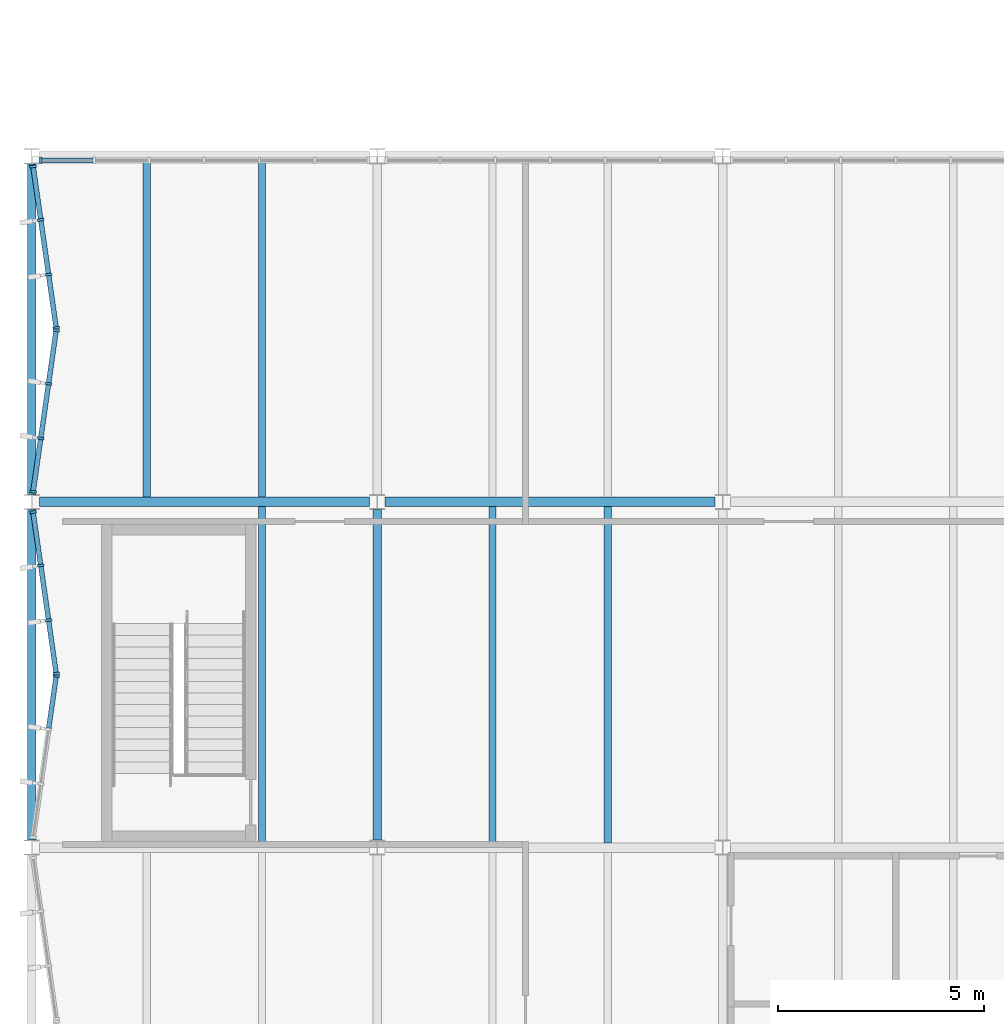
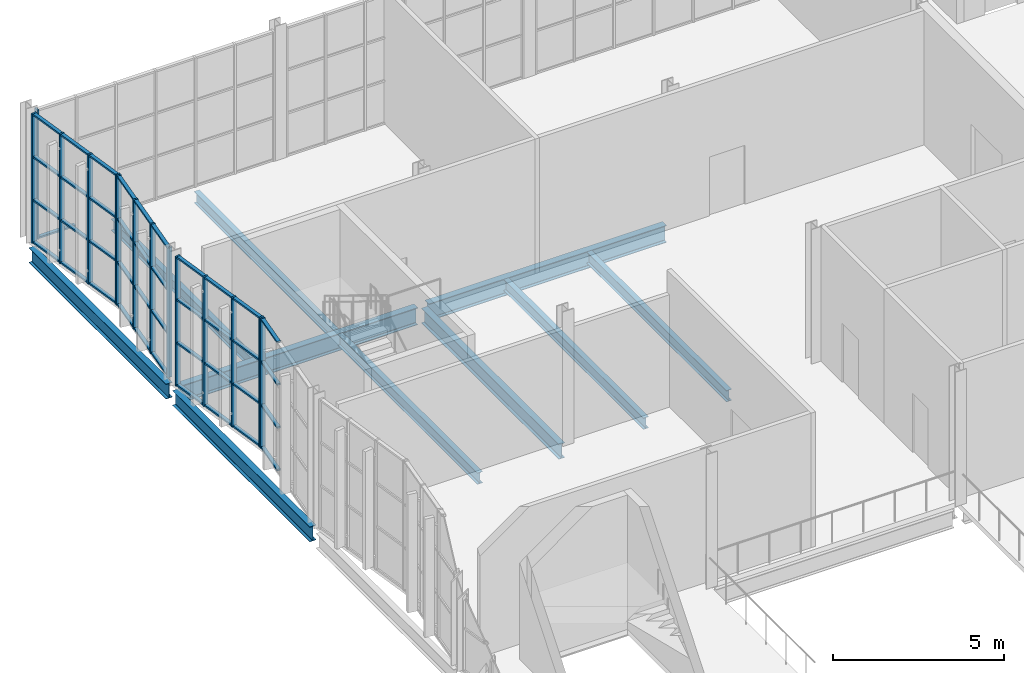
# One storey, part 38 of 127: 55 members, 10 beams, 5 elements without a shape of their own.
"""IFC4 building model written with IfcOpenShell, lengths in metres."""

from ifc_helpers import new_model, si_unit, direction, frame, origin, origin_2d, place, context, subcontext, project, spatial, rectangle, i_section, extrude, material, material_profile, profile_set, type_object, element, aggregate, save


model = new_model("IFC4")

# Units and contexts
model_context = context("Model", 3, precision=1e-05, world=origin(), true_north=direction((0.0, 1.0)))
body_context = subcontext(model_context, "Body", "Model", "MODEL_VIEW")
ifc_project = project(units=[si_unit("LENGTHUNIT", "METRE"), si_unit("AREAUNIT", "SQUARE_METRE"), si_unit("VOLUMEUNIT", "CUBIC_METRE"), si_unit("PLANEANGLEUNIT", "RADIAN"), si_unit("MASSUNIT", "GRAM", prefix="KILO")], contexts=[model_context])

# Site, building, storey
site_placement = place(None, origin())
site = spatial("IfcSite", under=ifc_project, at=site_placement, CompositionType="ELEMENT")
building_placement = place(site_placement, origin())
building = spatial("IfcBuilding", under=site, at=building_placement, Name="Ljudholm Concert House", CompositionType="ELEMENT")
storey_placement = place(building_placement, frame((0.0, 0.0, 5.39990234375)))
storey = spatial("IfcBuildingStorey", under=building, at=storey_placement, Name="L01", CompositionType="ELEMENT", Elevation=5.39990234375)

# Curtain wall, member
ifc_material_1 = material(Name="Aluminium curtain wall with impact-rated laminated glass", Category="aluminium")
curtain_wall_type = type_object("IfcCurtainWallType", Name="CURTAIN WALL 1400", PredefinedType="NOTDEFINED", material=ifc_material_1)
curtain_wall_1_placement = place(storey_placement, origin())
curtain_wall_1 = element("IfcCurtainWall", 1, at=curtain_wall_1_placement, inside=storey, type_object=curtain_wall_type, Name="Facade curtain wall", PredefinedType="NOTDEFINED")
ifc_material_2 = material(Name="Aluminium extrusion", Category="aluminium")
ifc_material_profile_1 = material_profile(ifc_material_2, rectangle(XDim=0.159912109375, YDim=0.06005859375, at=origin_2d()), Name="MULLION 60x160")
ifc_profile_set_1 = profile_set([ifc_material_profile_1], Name="Aluminium extrusion")
member_type_1 = type_object("IfcMemberType", Name="MULLION 60x160", PredefinedType="MULLION", material=ifc_profile_set_1)
member_1_placement = place(storey_placement, frame((4.595703125, 117.370361328125, 0.0), z_axis=(0.0, 0.0, 1.0), x_axis=(-0.989949493647, 0.141421356338, 0.0)))
member_1 = element("IfcMember", 2, at=member_1_placement, type_object=member_type_1, Name="Mullion", PredefinedType="MULLION", context=body_context, shape_type="SweptSolid", body=[
    extrude(rectangle(XDim=0.159912109375, YDim=0.06005859375, at=origin_2d()), origin(), (0.0, 0.0, 1.0), 4.6201171875),
])

# Curtain wall, members
curtain_wall_2_placement = place(storey_placement, origin())
curtain_wall_2 = element("IfcCurtainWall", 3, at=curtain_wall_2_placement, inside=storey, type_object=curtain_wall_type, Name="Facade curtain wall", PredefinedType="NOTDEFINED")
member_2_placement = place(storey_placement, frame((4.595703125, 117.4296875, 0.0), z_axis=(0.0, 0.0, 1.0), x_axis=(-0.989949493647, -0.141421356338, 0.0)))
member_2 = element("IfcMember", 4, at=member_2_placement, type_object=member_type_1, Name="Mullion", PredefinedType="MULLION", context=body_context, shape_type="SweptSolid", body=[
    extrude(rectangle(XDim=0.159912109375, YDim=0.06005859375, at=origin_2d()), origin(), (0.0, 0.0, 1.0), 4.6201171875),
])
member_3_placement = place(storey_placement, frame((4.410400390625, 118.727294921875, 0.0), z_axis=(0.0, 0.0, 1.0), x_axis=(-0.989949493647, -0.141421356338, 0.0)))
member_3 = element("IfcMember", 5, at=member_3_placement, type_object=member_type_1, Name="Mullion", PredefinedType="MULLION", context=body_context, shape_type="SweptSolid", body=[
    extrude(rectangle(XDim=0.159912109375, YDim=0.06005859375, at=origin_2d()), origin(), (0.0, 0.0, 1.0), 4.6201171875),
])
member_4_placement = place(storey_placement, frame((4.220703125, 120.0546875, 0.0), z_axis=(0.0, 0.0, 1.0), x_axis=(-0.989949493647, -0.141421356338, 0.0)))
member_4 = element("IfcMember", 6, at=member_4_placement, type_object=member_type_1, Name="Mullion", PredefinedType="MULLION", context=body_context, shape_type="SweptSolid", body=[
    extrude(rectangle(XDim=0.159912109375, YDim=0.06005859375, at=origin_2d()), origin(), (0.0, 0.0, 1.0), 4.6201171875),
])
member_5_placement = place(storey_placement, frame((4.035400390625, 121.3525390625, 0.0), z_axis=(0.0, 0.0, 1.0), x_axis=(-0.989949493647, -0.141421356338, 0.0)))
member_5 = element("IfcMember", 7, at=member_5_placement, type_object=member_type_1, Name="Mullion", PredefinedType="MULLION", context=body_context, shape_type="SweptSolid", body=[
    extrude(rectangle(XDim=0.159912109375, YDim=0.06005859375, at=origin_2d()), origin(), (0.0, 0.0, 1.0), 4.6201171875),
])

curtain_wall_3_placement = place(storey_placement, origin())
curtain_wall_3 = element("IfcCurtainWall", 8, at=curtain_wall_3_placement, inside=storey, type_object=curtain_wall_type, Name="Facade curtain wall", PredefinedType="NOTDEFINED")
member_6_placement = place(storey_placement, frame((4.035400390625, 121.847412109375, 0.0), z_axis=(0.0, 0.0, 1.0), x_axis=(-0.989949493647, 0.141421356338, 0.0)))
member_6 = element("IfcMember", 9, at=member_6_placement, type_object=member_type_1, Name="Mullion", PredefinedType="MULLION", context=body_context, shape_type="SweptSolid", body=[
    extrude(rectangle(XDim=0.159912109375, YDim=0.06005859375, at=origin_2d()), origin(), (0.0, 0.0, 1.0), 4.6201171875),
])
member_7_placement = place(storey_placement, frame((4.220703125, 123.145263671875, 0.0), z_axis=(0.0, 0.0, 1.0), x_axis=(-0.989949493647, 0.141421356338, 0.0)))
member_7 = element("IfcMember", 10, at=member_7_placement, type_object=member_type_1, Name="Mullion", PredefinedType="MULLION", context=body_context, shape_type="SweptSolid", body=[
    extrude(rectangle(XDim=0.159912109375, YDim=0.06005859375, at=origin_2d()), origin(), (0.0, 0.0, 1.0), 4.6201171875),
])
member_8_placement = place(storey_placement, frame((4.410400390625, 124.47265625, 0.0), z_axis=(0.0, 0.0, 1.0), x_axis=(-0.989949493647, 0.141421356338, 0.0)))
member_8 = element("IfcMember", 11, at=member_8_placement, type_object=member_type_1, Name="Mullion", PredefinedType="MULLION", context=body_context, shape_type="SweptSolid", body=[
    extrude(rectangle(XDim=0.159912109375, YDim=0.06005859375, at=origin_2d()), origin(), (0.0, 0.0, 1.0), 4.6201171875),
])
member_9_placement = place(storey_placement, frame((4.595703125, 125.770263671875, 0.0), z_axis=(0.0, 0.0, 1.0), x_axis=(-0.989949493647, 0.141421356338, 0.0)))
member_9 = element("IfcMember", 12, at=member_9_placement, type_object=member_type_1, Name="Mullion", PredefinedType="MULLION", context=body_context, shape_type="SweptSolid", body=[
    extrude(rectangle(XDim=0.159912109375, YDim=0.06005859375, at=origin_2d()), origin(), (0.0, 0.0, 1.0), 4.6201171875),
])

curtain_wall_4_placement = place(storey_placement, origin())
curtain_wall_4 = element("IfcCurtainWall", 13, at=curtain_wall_4_placement, inside=storey, type_object=curtain_wall_type, Name="Facade curtain wall", PredefinedType="NOTDEFINED")
member_10_placement = place(storey_placement, frame((4.595703125, 125.82958984375, 0.0), z_axis=(0.0, 0.0, 1.0), x_axis=(-0.989949493647, -0.141421356338, 0.0)))
member_10 = element("IfcMember", 14, at=member_10_placement, type_object=member_type_1, Name="Mullion", PredefinedType="MULLION", context=body_context, shape_type="SweptSolid", body=[
    extrude(rectangle(XDim=0.159912109375, YDim=0.06005859375, at=origin_2d()), origin(), (0.0, 0.0, 1.0), 4.6201171875),
])
member_11_placement = place(storey_placement, frame((4.410400390625, 127.12744140625, 0.0), z_axis=(0.0, 0.0, 1.0), x_axis=(-0.989949493647, -0.141421356338, 0.0)))
member_11 = element("IfcMember", 15, at=member_11_placement, type_object=member_type_1, Name="Mullion", PredefinedType="MULLION", context=body_context, shape_type="SweptSolid", body=[
    extrude(rectangle(XDim=0.159912109375, YDim=0.06005859375, at=origin_2d()), origin(), (0.0, 0.0, 1.0), 4.6201171875),
])
member_12_placement = place(storey_placement, frame((4.220703125, 128.454833984375, 0.0), z_axis=(0.0, 0.0, 1.0), x_axis=(-0.989949493647, -0.141421356338, 0.0)))
member_12 = element("IfcMember", 16, at=member_12_placement, type_object=member_type_1, Name="Mullion", PredefinedType="MULLION", context=body_context, shape_type="SweptSolid", body=[
    extrude(rectangle(XDim=0.159912109375, YDim=0.06005859375, at=origin_2d()), origin(), (0.0, 0.0, 1.0), 4.6201171875),
])
member_13_placement = place(storey_placement, frame((4.035400390625, 129.75244140625, 0.0), z_axis=(0.0, 0.0, 1.0), x_axis=(-0.989949493647, -0.141421356338, 0.0)))
member_13 = element("IfcMember", 17, at=member_13_placement, type_object=member_type_1, Name="Mullion", PredefinedType="MULLION", context=body_context, shape_type="SweptSolid", body=[
    extrude(rectangle(XDim=0.159912109375, YDim=0.06005859375, at=origin_2d()), origin(), (0.0, 0.0, 1.0), 4.6201171875),
])

# Curtain wall, member
curtain_wall_5_placement = place(storey_placement, origin())
curtain_wall_5 = element("IfcCurtainWall", 18, at=curtain_wall_5_placement, inside=storey, type_object=curtain_wall_type, Name="North curtain wall", PredefinedType="NOTDEFINED")
member_14_placement = place(storey_placement, frame((4.216796875, 129.89990234375, 0.0), z_axis=(0.0, 0.0, 1.0), x_axis=(0.0, 1.0, 0.0)))
member_14 = element("IfcMember", 19, at=member_14_placement, type_object=member_type_1, Name="Mullion", PredefinedType="MULLION", context=body_context, shape_type="SweptSolid", body=[
    extrude(rectangle(XDim=0.159912109375, YDim=0.06005859375, at=origin_2d()), origin(), (0.0, 0.0, 1.0), 4.6201171875),
])

# Beams
ifc_material_3 = material(Name="Steel ASTM A992", Category="steel")
ifc_material_profile_2 = material_profile(ifc_material_3, i_section(OverallWidth=0.177734375, OverallDepth=0.406494140625, WebThickness=0.0078125, FlangeThickness=0.012939453125, FilletRadius=0.01025390625, at=origin_2d()), Name="W16X40")
ifc_profile_set_2 = profile_set([ifc_material_profile_2], Name="Steel ASTM A992")
beam_type_1 = type_object("IfcBeamType", Name="STEEL BEAM W16X40", PredefinedType="BEAM", material=ifc_profile_set_2)
for number, where, z_axis, x_axis, name in (
    (20, (6.800048828125, 121.714599609375, -0.383056640625), (0.0, 1.0, 0.0), (-1.0, 0.0, 0.0), "Secondary beam"),
    (21, (9.60009765625, 113.314453125, -0.383056640625), (0.0, 1.0, 0.0), (-1.0, 0.0, 0.0), "Secondary beam"),
    (22, (9.60009765625, 121.714599609375, -0.383056640625), (0.0, 1.0, 0.0), (-1.0, 0.0, 0.0), "Secondary beam"),
    (23, (15.199951171875, 113.314453125, -0.383056640625), (0.0, 1.0, 0.0), (-1.0, 0.0, 0.0), "Secondary beam"),
    (24, (18.0, 113.314453125, -0.383056640625), (0.0, 1.0, 0.0), (-1.0, 0.0, 0.0), "Secondary beam"),
):
    element("IfcBeam", number, at=place(storey_placement, frame(where, z_axis=z_axis, x_axis=x_axis)), inside=storey, type_object=beam_type_1, Name=name, PredefinedType="BEAM", context=body_context, shape_type="SweptSolid", body=[
        extrude(i_section(OverallWidth=0.177734375, OverallDepth=0.406494140625, WebThickness=0.0078125, FlangeThickness=0.012939453125, FilletRadius=0.01025390625, at=origin_2d()), origin(), (0.0, 0.0, 1.0), 8.1708984375),
    ])
ifc_material_4 = material(Name="Steel ASTM A992", Category="steel")
ifc_material_profile_3 = material_profile(ifc_material_4, i_section(OverallWidth=0.209228515625, OverallDepth=0.533447265625, WebThickness=0.01025390625, FlangeThickness=0.015625, FilletRadius=0.012939453125, at=origin_2d()), Name="W21X62")
ifc_profile_set_3 = profile_set([ifc_material_profile_3], Name="Steel ASTM A992")
beam_type_2 = type_object("IfcBeamType", Name="STEEL BEAM W21X62", PredefinedType="BEAM", material=ifc_profile_set_3)
for number, where, z_axis, x_axis, name in (
    (25, (4.0, 113.38671875, -0.446533203125), (0.0, 1.0, 0.0), (-1.0, 0.0, 0.0), "Floor edge beam"),
    (26, (4.0, 121.78662109375, -0.446533203125), (0.0, 1.0, 0.0), (-1.0, 0.0, 0.0), "Floor edge beam"),
    (27, (12.39990234375, 113.38671875, -0.446533203125), (0.0, 1.0, 0.0), (-1.0, 0.0, 0.0), "Floor edge beam"),
):
    element("IfcBeam", number, at=place(storey_placement, frame(where, z_axis=z_axis, x_axis=x_axis)), inside=storey, type_object=beam_type_2, Name=name, PredefinedType="BEAM", context=body_context, shape_type="SweptSolid", body=[
        extrude(i_section(OverallWidth=0.209228515625, OverallDepth=0.533447265625, WebThickness=0.01025390625, FlangeThickness=0.015625, FilletRadius=0.012939453125, at=origin_2d()), origin(), (0.0, 0.0, 1.0), 8.026611328125),
    ])
ifc_material_5 = material(Name="Steel ASTM A992", Category="steel")
ifc_material_profile_4 = material_profile(ifc_material_5, i_section(OverallWidth=0.22900390625, OverallDepth=0.612060546875, WebThickness=0.011962890625, FlangeThickness=0.01953125, FilletRadius=0.0126953125, at=origin_2d()), Name="W24X84")
ifc_profile_set_4 = profile_set([ifc_material_profile_4], Name="Steel ASTM A992")
beam_type_3 = type_object("IfcBeamType", Name="STEEL BEAM W24X84", PredefinedType="BEAM", material=ifc_profile_set_4)
for number, where, z_axis, x_axis, name in (
    (28, (4.186767578125, 121.60009765625, -0.486083984375), (1.0, 0.0, 0.0), (0.0, 1.0, 0.0), "Floor girder"),
    (29, (12.586669921875, 121.60009765625, -0.486083984375), (1.0, 0.0, 0.0), (0.0, 1.0, 0.0), "Floor girder"),
):
    element("IfcBeam", number, at=place(storey_placement, frame(where, z_axis=z_axis, x_axis=x_axis)), inside=storey, type_object=beam_type_3, Name=name, PredefinedType="BEAM", context=body_context, shape_type="SweptSolid", body=[
        extrude(i_section(OverallWidth=0.22900390625, OverallDepth=0.612060546875, WebThickness=0.011962890625, FlangeThickness=0.01953125, FilletRadius=0.0126953125, at=origin_2d()), origin(), (0.0, 0.0, 1.0), 8.026611328125),
    ])

# Member
ifc_material_6 = material(Name="Aluminium extrusion", Category="aluminium")
ifc_material_profile_5 = material_profile(ifc_material_6, rectangle(XDim=0.1201171875, YDim=0.06005859375, at=origin_2d()), Name="TRANSOM 60x120")
ifc_profile_set_5 = profile_set([ifc_material_profile_5], Name="Aluminium extrusion")
member_type_2 = type_object("IfcMemberType", Name="TRANSOM 60x120", PredefinedType="USERDEFINED", material=ifc_profile_set_5)
member_15_placement = place(storey_placement, frame((4.41455078125, 116.102294921875, 0.030029296875), z_axis=(0.141503330095, 0.989937779647, 0.0), x_axis=(-0.989937779647, 0.141503330095, 0.0)))
member_15 = element("IfcMember", 30, at=member_15_placement, type_object=member_type_2, Name="Transom", ObjectType="TRANSOM", PredefinedType="USERDEFINED", context=body_context, shape_type="SweptSolid", body=[
    extrude(rectangle(XDim=0.1201171875, YDim=0.06005859375, at=origin_2d()), origin(), (0.0, 0.0, 1.0), 1.2509765625),
])

member_16_placement = place(storey_placement, frame((4.41455078125, 116.102294921875, 1.5400390625), z_axis=(0.141503330095, 0.989937779647, 0.0), x_axis=(-0.989937779647, 0.141503330095, 0.0)))
member_16 = element("IfcMember", 31, at=member_16_placement, type_object=member_type_2, Name="Transom", ObjectType="TRANSOM", PredefinedType="USERDEFINED", context=body_context, shape_type="SweptSolid", body=[
    extrude(rectangle(XDim=0.1201171875, YDim=0.06005859375, at=origin_2d()), origin(), (0.0, 0.0, 1.0), 1.2509765625),
])

member_17_placement = place(storey_placement, frame((4.41455078125, 116.102294921875, 3.080078125), z_axis=(0.141503330095, 0.989937779647, 0.0), x_axis=(-0.989937779647, 0.141503330095, 0.0)))
member_17 = element("IfcMember", 32, at=member_17_placement, type_object=member_type_2, Name="Transom", ObjectType="TRANSOM", PredefinedType="USERDEFINED", context=body_context, shape_type="SweptSolid", body=[
    extrude(rectangle(XDim=0.1201171875, YDim=0.06005859375, at=origin_2d()), origin(), (0.0, 0.0, 1.0), 1.2509765625),
])

member_18_placement = place(storey_placement, frame((4.41455078125, 116.102294921875, 4.590087890625), z_axis=(0.141503330095, 0.989937779647, 0.0), x_axis=(-0.989937779647, 0.141503330095, 0.0)))
member_18 = element("IfcMember", 33, at=member_18_placement, type_object=member_type_2, Name="Transom", ObjectType="TRANSOM", PredefinedType="USERDEFINED", context=body_context, shape_type="SweptSolid", body=[
    extrude(rectangle(XDim=0.1201171875, YDim=0.06005859375, at=origin_2d()), origin(), (0.0, 0.0, 1.0), 1.2509765625),
])

aggregate(curtain_wall_1, [member_1, member_15, member_16, member_17, member_18])

member_19_placement = place(storey_placement, frame((4.591552734375, 117.45947265625, 0.030029296875), z_axis=(-0.141503330095, 0.989937779647, 0.0), x_axis=(-0.989937779647, -0.141503330095, 0.0)))
member_19 = element("IfcMember", 34, at=member_19_placement, type_object=member_type_2, Name="Transom", ObjectType="TRANSOM", PredefinedType="USERDEFINED", context=body_context, shape_type="SweptSolid", body=[
    extrude(rectangle(XDim=0.1201171875, YDim=0.06005859375, at=origin_2d()), origin(), (0.0, 0.0, 1.0), 1.2509765625),
])

member_20_placement = place(storey_placement, frame((4.591552734375, 117.45947265625, 1.5400390625), z_axis=(-0.141503330095, 0.989937779647, 0.0), x_axis=(-0.989937779647, -0.141503330095, 0.0)))
member_20 = element("IfcMember", 35, at=member_20_placement, type_object=member_type_2, Name="Transom", ObjectType="TRANSOM", PredefinedType="USERDEFINED", context=body_context, shape_type="SweptSolid", body=[
    extrude(rectangle(XDim=0.1201171875, YDim=0.06005859375, at=origin_2d()), origin(), (0.0, 0.0, 1.0), 1.2509765625),
])

member_21_placement = place(storey_placement, frame((4.591552734375, 117.45947265625, 3.080078125), z_axis=(-0.141503330095, 0.989937779647, 0.0), x_axis=(-0.989937779647, -0.141503330095, 0.0)))
member_21 = element("IfcMember", 36, at=member_21_placement, type_object=member_type_2, Name="Transom", ObjectType="TRANSOM", PredefinedType="USERDEFINED", context=body_context, shape_type="SweptSolid", body=[
    extrude(rectangle(XDim=0.1201171875, YDim=0.06005859375, at=origin_2d()), origin(), (0.0, 0.0, 1.0), 1.2509765625),
])

member_22_placement = place(storey_placement, frame((4.591552734375, 117.45947265625, 4.590087890625), z_axis=(-0.141503330095, 0.989937779647, 0.0), x_axis=(-0.989937779647, -0.141503330095, 0.0)))
member_22 = element("IfcMember", 37, at=member_22_placement, type_object=member_type_2, Name="Transom", ObjectType="TRANSOM", PredefinedType="USERDEFINED", context=body_context, shape_type="SweptSolid", body=[
    extrude(rectangle(XDim=0.1201171875, YDim=0.06005859375, at=origin_2d()), origin(), (0.0, 0.0, 1.0), 1.2509765625),
])

member_23_placement = place(storey_placement, frame((4.40625, 118.757080078125, 0.030029296875), z_axis=(-0.141421356237, 0.989949493661, 0.0), x_axis=(-0.989949493661, -0.141421356237, 0.0)))
member_23 = element("IfcMember", 38, at=member_23_placement, type_object=member_type_2, Name="Transom", ObjectType="TRANSOM", PredefinedType="USERDEFINED", context=body_context, shape_type="SweptSolid", body=[
    extrude(rectangle(XDim=0.1201171875, YDim=0.06005859375, at=origin_2d()), origin(), (0.0, 0.0, 1.0), 1.281005859375),
])

member_24_placement = place(storey_placement, frame((4.40625, 118.757080078125, 1.5400390625), z_axis=(-0.141421356237, 0.989949493661, 0.0), x_axis=(-0.989949493661, -0.141421356237, 0.0)))
member_24 = element("IfcMember", 39, at=member_24_placement, type_object=member_type_2, Name="Transom", ObjectType="TRANSOM", PredefinedType="USERDEFINED", context=body_context, shape_type="SweptSolid", body=[
    extrude(rectangle(XDim=0.1201171875, YDim=0.06005859375, at=origin_2d()), origin(), (0.0, 0.0, 1.0), 1.281005859375),
])

member_25_placement = place(storey_placement, frame((4.40625, 118.757080078125, 3.080078125), z_axis=(-0.141421356237, 0.989949493661, 0.0), x_axis=(-0.989949493661, -0.141421356237, 0.0)))
member_25 = element("IfcMember", 40, at=member_25_placement, type_object=member_type_2, Name="Transom", ObjectType="TRANSOM", PredefinedType="USERDEFINED", context=body_context, shape_type="SweptSolid", body=[
    extrude(rectangle(XDim=0.1201171875, YDim=0.06005859375, at=origin_2d()), origin(), (0.0, 0.0, 1.0), 1.281005859375),
])

member_26_placement = place(storey_placement, frame((4.40625, 118.757080078125, 4.590087890625), z_axis=(-0.141421356237, 0.989949493661, 0.0), x_axis=(-0.989949493661, -0.141421356237, 0.0)))
member_26 = element("IfcMember", 41, at=member_26_placement, type_object=member_type_2, Name="Transom", ObjectType="TRANSOM", PredefinedType="USERDEFINED", context=body_context, shape_type="SweptSolid", body=[
    extrude(rectangle(XDim=0.1201171875, YDim=0.06005859375, at=origin_2d()), origin(), (0.0, 0.0, 1.0), 1.281005859375),
])

member_27_placement = place(storey_placement, frame((4.216552734375, 120.08447265625, 0.030029296875), z_axis=(-0.141503330095, 0.989937779647, 0.0), x_axis=(-0.989937779647, -0.141503330095, 0.0)))
member_27 = element("IfcMember", 42, at=member_27_placement, type_object=member_type_2, Name="Transom", ObjectType="TRANSOM", PredefinedType="USERDEFINED", context=body_context, shape_type="SweptSolid", body=[
    extrude(rectangle(XDim=0.1201171875, YDim=0.06005859375, at=origin_2d()), origin(), (0.0, 0.0, 1.0), 1.2509765625),
])

member_28_placement = place(storey_placement, frame((4.216552734375, 120.08447265625, 1.5400390625), z_axis=(-0.141503330095, 0.989937779647, 0.0), x_axis=(-0.989937779647, -0.141503330095, 0.0)))
member_28 = element("IfcMember", 43, at=member_28_placement, type_object=member_type_2, Name="Transom", ObjectType="TRANSOM", PredefinedType="USERDEFINED", context=body_context, shape_type="SweptSolid", body=[
    extrude(rectangle(XDim=0.1201171875, YDim=0.06005859375, at=origin_2d()), origin(), (0.0, 0.0, 1.0), 1.2509765625),
])

member_29_placement = place(storey_placement, frame((4.216552734375, 120.08447265625, 3.080078125), z_axis=(-0.141503330095, 0.989937779647, 0.0), x_axis=(-0.989937779647, -0.141503330095, 0.0)))
member_29 = element("IfcMember", 44, at=member_29_placement, type_object=member_type_2, Name="Transom", ObjectType="TRANSOM", PredefinedType="USERDEFINED", context=body_context, shape_type="SweptSolid", body=[
    extrude(rectangle(XDim=0.1201171875, YDim=0.06005859375, at=origin_2d()), origin(), (0.0, 0.0, 1.0), 1.2509765625),
])

member_30_placement = place(storey_placement, frame((4.216552734375, 120.08447265625, 4.590087890625), z_axis=(-0.141503330095, 0.989937779647, 0.0), x_axis=(-0.989937779647, -0.141503330095, 0.0)))
member_30 = element("IfcMember", 45, at=member_30_placement, type_object=member_type_2, Name="Transom", ObjectType="TRANSOM", PredefinedType="USERDEFINED", context=body_context, shape_type="SweptSolid", body=[
    extrude(rectangle(XDim=0.1201171875, YDim=0.06005859375, at=origin_2d()), origin(), (0.0, 0.0, 1.0), 1.2509765625),
])

aggregate(curtain_wall_2, [member_2, member_3, member_4, member_5, member_19, member_20, member_21, member_22, member_23, member_24, member_25, member_26, member_27, member_28, member_29, member_30])

member_31_placement = place(storey_placement, frame((4.03955078125, 121.877197265625, 0.030029296875), z_axis=(0.141503330095, 0.989937779647, 0.0), x_axis=(-0.989937779647, 0.141503330095, 0.0)))
member_31 = element("IfcMember", 46, at=member_31_placement, type_object=member_type_2, Name="Transom", ObjectType="TRANSOM", PredefinedType="USERDEFINED", context=body_context, shape_type="SweptSolid", body=[
    extrude(rectangle(XDim=0.1201171875, YDim=0.06005859375, at=origin_2d()), origin(), (0.0, 0.0, 1.0), 1.2509765625),
])

member_32_placement = place(storey_placement, frame((4.03955078125, 121.877197265625, 1.5400390625), z_axis=(0.141503330095, 0.989937779647, 0.0), x_axis=(-0.989937779647, 0.141503330095, 0.0)))
member_32 = element("IfcMember", 47, at=member_32_placement, type_object=member_type_2, Name="Transom", ObjectType="TRANSOM", PredefinedType="USERDEFINED", context=body_context, shape_type="SweptSolid", body=[
    extrude(rectangle(XDim=0.1201171875, YDim=0.06005859375, at=origin_2d()), origin(), (0.0, 0.0, 1.0), 1.2509765625),
])

member_33_placement = place(storey_placement, frame((4.03955078125, 121.877197265625, 3.080078125), z_axis=(0.141503330095, 0.989937779647, 0.0), x_axis=(-0.989937779647, 0.141503330095, 0.0)))
member_33 = element("IfcMember", 48, at=member_33_placement, type_object=member_type_2, Name="Transom", ObjectType="TRANSOM", PredefinedType="USERDEFINED", context=body_context, shape_type="SweptSolid", body=[
    extrude(rectangle(XDim=0.1201171875, YDim=0.06005859375, at=origin_2d()), origin(), (0.0, 0.0, 1.0), 1.2509765625),
])

member_34_placement = place(storey_placement, frame((4.03955078125, 121.877197265625, 4.590087890625), z_axis=(0.141503330095, 0.989937779647, 0.0), x_axis=(-0.989937779647, 0.141503330095, 0.0)))
member_34 = element("IfcMember", 49, at=member_34_placement, type_object=member_type_2, Name="Transom", ObjectType="TRANSOM", PredefinedType="USERDEFINED", context=body_context, shape_type="SweptSolid", body=[
    extrude(rectangle(XDim=0.1201171875, YDim=0.06005859375, at=origin_2d()), origin(), (0.0, 0.0, 1.0), 1.2509765625),
])

member_35_placement = place(storey_placement, frame((4.22509765625, 123.1748046875, 0.030029296875), z_axis=(0.141421356237, 0.989949493661, 0.0), x_axis=(-0.989949493661, 0.141421356237, 0.0)))
member_35 = element("IfcMember", 50, at=member_35_placement, type_object=member_type_2, Name="Transom", ObjectType="TRANSOM", PredefinedType="USERDEFINED", context=body_context, shape_type="SweptSolid", body=[
    extrude(rectangle(XDim=0.1201171875, YDim=0.06005859375, at=origin_2d()), origin(), (0.0, 0.0, 1.0), 1.281005859375),
])

member_36_placement = place(storey_placement, frame((4.22509765625, 123.1748046875, 1.5400390625), z_axis=(0.141421356237, 0.989949493661, 0.0), x_axis=(-0.989949493661, 0.141421356237, 0.0)))
member_36 = element("IfcMember", 51, at=member_36_placement, type_object=member_type_2, Name="Transom", ObjectType="TRANSOM", PredefinedType="USERDEFINED", context=body_context, shape_type="SweptSolid", body=[
    extrude(rectangle(XDim=0.1201171875, YDim=0.06005859375, at=origin_2d()), origin(), (0.0, 0.0, 1.0), 1.281005859375),
])

member_37_placement = place(storey_placement, frame((4.22509765625, 123.1748046875, 3.080078125), z_axis=(0.141421356237, 0.989949493661, 0.0), x_axis=(-0.989949493661, 0.141421356237, 0.0)))
member_37 = element("IfcMember", 52, at=member_37_placement, type_object=member_type_2, Name="Transom", ObjectType="TRANSOM", PredefinedType="USERDEFINED", context=body_context, shape_type="SweptSolid", body=[
    extrude(rectangle(XDim=0.1201171875, YDim=0.06005859375, at=origin_2d()), origin(), (0.0, 0.0, 1.0), 1.281005859375),
])

member_38_placement = place(storey_placement, frame((4.22509765625, 123.1748046875, 4.590087890625), z_axis=(0.141421356237, 0.989949493661, 0.0), x_axis=(-0.989949493661, 0.141421356237, 0.0)))
member_38 = element("IfcMember", 53, at=member_38_placement, type_object=member_type_2, Name="Transom", ObjectType="TRANSOM", PredefinedType="USERDEFINED", context=body_context, shape_type="SweptSolid", body=[
    extrude(rectangle(XDim=0.1201171875, YDim=0.06005859375, at=origin_2d()), origin(), (0.0, 0.0, 1.0), 1.281005859375),
])

member_39_placement = place(storey_placement, frame((4.41455078125, 124.502197265625, 0.030029296875), z_axis=(0.141475995027, 0.989941686581, 0.0), x_axis=(-0.989941686581, 0.141475995027, 0.0)))
member_39 = element("IfcMember", 54, at=member_39_placement, type_object=member_type_2, Name="Transom", ObjectType="TRANSOM", PredefinedType="USERDEFINED", context=body_context, shape_type="SweptSolid", body=[
    extrude(rectangle(XDim=0.1201171875, YDim=0.06005859375, at=origin_2d()), origin(), (0.0, 0.0, 1.0), 1.251220703125),
])

member_40_placement = place(storey_placement, frame((4.41455078125, 124.502197265625, 1.5400390625), z_axis=(0.141475995027, 0.989941686581, 0.0), x_axis=(-0.989941686581, 0.141475995027, 0.0)))
member_40 = element("IfcMember", 55, at=member_40_placement, type_object=member_type_2, Name="Transom", ObjectType="TRANSOM", PredefinedType="USERDEFINED", context=body_context, shape_type="SweptSolid", body=[
    extrude(rectangle(XDim=0.1201171875, YDim=0.06005859375, at=origin_2d()), origin(), (0.0, 0.0, 1.0), 1.251220703125),
])

member_41_placement = place(storey_placement, frame((4.41455078125, 124.502197265625, 3.080078125), z_axis=(0.141475995027, 0.989941686581, 0.0), x_axis=(-0.989941686581, 0.141475995027, 0.0)))
member_41 = element("IfcMember", 56, at=member_41_placement, type_object=member_type_2, Name="Transom", ObjectType="TRANSOM", PredefinedType="USERDEFINED", context=body_context, shape_type="SweptSolid", body=[
    extrude(rectangle(XDim=0.1201171875, YDim=0.06005859375, at=origin_2d()), origin(), (0.0, 0.0, 1.0), 1.251220703125),
])

member_42_placement = place(storey_placement, frame((4.41455078125, 124.502197265625, 4.590087890625), z_axis=(0.141475995027, 0.989941686581, 0.0), x_axis=(-0.989941686581, 0.141475995027, 0.0)))
member_42 = element("IfcMember", 57, at=member_42_placement, type_object=member_type_2, Name="Transom", ObjectType="TRANSOM", PredefinedType="USERDEFINED", context=body_context, shape_type="SweptSolid", body=[
    extrude(rectangle(XDim=0.1201171875, YDim=0.06005859375, at=origin_2d()), origin(), (0.0, 0.0, 1.0), 1.251220703125),
])

aggregate(curtain_wall_3, [member_6, member_7, member_8, member_9, member_31, member_32, member_33, member_34, member_35, member_36, member_37, member_38, member_39, member_40, member_41, member_42])

member_43_placement = place(storey_placement, frame((4.591552734375, 125.859375, 0.030029296875), z_axis=(-0.141503330095, 0.989937779647, 0.0), x_axis=(-0.989937779647, -0.141503330095, 0.0)))
member_43 = element("IfcMember", 58, at=member_43_placement, type_object=member_type_2, Name="Transom", ObjectType="TRANSOM", PredefinedType="USERDEFINED", context=body_context, shape_type="SweptSolid", body=[
    extrude(rectangle(XDim=0.1201171875, YDim=0.06005859375, at=origin_2d()), origin(), (0.0, 0.0, 1.0), 1.2509765625),
])

member_44_placement = place(storey_placement, frame((4.591552734375, 125.859375, 1.5400390625), z_axis=(-0.141503330095, 0.989937779647, 0.0), x_axis=(-0.989937779647, -0.141503330095, 0.0)))
member_44 = element("IfcMember", 59, at=member_44_placement, type_object=member_type_2, Name="Transom", ObjectType="TRANSOM", PredefinedType="USERDEFINED", context=body_context, shape_type="SweptSolid", body=[
    extrude(rectangle(XDim=0.1201171875, YDim=0.06005859375, at=origin_2d()), origin(), (0.0, 0.0, 1.0), 1.2509765625),
])

member_45_placement = place(storey_placement, frame((4.591552734375, 125.859375, 3.080078125), z_axis=(-0.141503330095, 0.989937779647, 0.0), x_axis=(-0.989937779647, -0.141503330095, 0.0)))
member_45 = element("IfcMember", 60, at=member_45_placement, type_object=member_type_2, Name="Transom", ObjectType="TRANSOM", PredefinedType="USERDEFINED", context=body_context, shape_type="SweptSolid", body=[
    extrude(rectangle(XDim=0.1201171875, YDim=0.06005859375, at=origin_2d()), origin(), (0.0, 0.0, 1.0), 1.2509765625),
])

member_46_placement = place(storey_placement, frame((4.591552734375, 125.859375, 4.590087890625), z_axis=(-0.141503330095, 0.989937779647, 0.0), x_axis=(-0.989937779647, -0.141503330095, 0.0)))
member_46 = element("IfcMember", 61, at=member_46_placement, type_object=member_type_2, Name="Transom", ObjectType="TRANSOM", PredefinedType="USERDEFINED", context=body_context, shape_type="SweptSolid", body=[
    extrude(rectangle(XDim=0.1201171875, YDim=0.06005859375, at=origin_2d()), origin(), (0.0, 0.0, 1.0), 1.2509765625),
])

member_47_placement = place(storey_placement, frame((4.40625, 127.156982421875, 0.030029296875), z_axis=(-0.141421356237, 0.989949493661, 0.0), x_axis=(-0.989949493661, -0.141421356237, 0.0)))
member_47 = element("IfcMember", 62, at=member_47_placement, type_object=member_type_2, Name="Transom", ObjectType="TRANSOM", PredefinedType="USERDEFINED", context=body_context, shape_type="SweptSolid", body=[
    extrude(rectangle(XDim=0.1201171875, YDim=0.06005859375, at=origin_2d()), origin(), (0.0, 0.0, 1.0), 1.281005859375),
])

member_48_placement = place(storey_placement, frame((4.40625, 127.156982421875, 1.5400390625), z_axis=(-0.141421356237, 0.989949493661, 0.0), x_axis=(-0.989949493661, -0.141421356237, 0.0)))
member_48 = element("IfcMember", 63, at=member_48_placement, type_object=member_type_2, Name="Transom", ObjectType="TRANSOM", PredefinedType="USERDEFINED", context=body_context, shape_type="SweptSolid", body=[
    extrude(rectangle(XDim=0.1201171875, YDim=0.06005859375, at=origin_2d()), origin(), (0.0, 0.0, 1.0), 1.281005859375),
])

member_49_placement = place(storey_placement, frame((4.40625, 127.156982421875, 3.080078125), z_axis=(-0.141421356237, 0.989949493661, 0.0), x_axis=(-0.989949493661, -0.141421356237, 0.0)))
member_49 = element("IfcMember", 64, at=member_49_placement, type_object=member_type_2, Name="Transom", ObjectType="TRANSOM", PredefinedType="USERDEFINED", context=body_context, shape_type="SweptSolid", body=[
    extrude(rectangle(XDim=0.1201171875, YDim=0.06005859375, at=origin_2d()), origin(), (0.0, 0.0, 1.0), 1.281005859375),
])

member_50_placement = place(storey_placement, frame((4.40625, 127.156982421875, 4.590087890625), z_axis=(-0.141421356237, 0.989949493661, 0.0), x_axis=(-0.989949493661, -0.141421356237, 0.0)))
member_50 = element("IfcMember", 65, at=member_50_placement, type_object=member_type_2, Name="Transom", ObjectType="TRANSOM", PredefinedType="USERDEFINED", context=body_context, shape_type="SweptSolid", body=[
    extrude(rectangle(XDim=0.1201171875, YDim=0.06005859375, at=origin_2d()), origin(), (0.0, 0.0, 1.0), 1.281005859375),
])

member_51_placement = place(storey_placement, frame((4.216552734375, 128.484619140625, 0.030029296875), z_axis=(-0.141503330095, 0.989937779647, 0.0), x_axis=(-0.989937779647, -0.141503330095, 0.0)))
member_51 = element("IfcMember", 66, at=member_51_placement, type_object=member_type_2, Name="Transom", ObjectType="TRANSOM", PredefinedType="USERDEFINED", context=body_context, shape_type="SweptSolid", body=[
    extrude(rectangle(XDim=0.1201171875, YDim=0.06005859375, at=origin_2d()), origin(), (0.0, 0.0, 1.0), 1.2509765625),
])

member_52_placement = place(storey_placement, frame((4.216552734375, 128.484619140625, 1.5400390625), z_axis=(-0.141503330095, 0.989937779647, 0.0), x_axis=(-0.989937779647, -0.141503330095, 0.0)))
member_52 = element("IfcMember", 67, at=member_52_placement, type_object=member_type_2, Name="Transom", ObjectType="TRANSOM", PredefinedType="USERDEFINED", context=body_context, shape_type="SweptSolid", body=[
    extrude(rectangle(XDim=0.1201171875, YDim=0.06005859375, at=origin_2d()), origin(), (0.0, 0.0, 1.0), 1.2509765625),
])

member_53_placement = place(storey_placement, frame((4.216552734375, 128.484619140625, 3.080078125), z_axis=(-0.141503330095, 0.989937779647, 0.0), x_axis=(-0.989937779647, -0.141503330095, 0.0)))
member_53 = element("IfcMember", 68, at=member_53_placement, type_object=member_type_2, Name="Transom", ObjectType="TRANSOM", PredefinedType="USERDEFINED", context=body_context, shape_type="SweptSolid", body=[
    extrude(rectangle(XDim=0.1201171875, YDim=0.06005859375, at=origin_2d()), origin(), (0.0, 0.0, 1.0), 1.2509765625),
])

member_54_placement = place(storey_placement, frame((4.216552734375, 128.484619140625, 4.590087890625), z_axis=(-0.141503330095, 0.989937779647, 0.0), x_axis=(-0.989937779647, -0.141503330095, 0.0)))
member_54 = element("IfcMember", 69, at=member_54_placement, type_object=member_type_2, Name="Transom", ObjectType="TRANSOM", PredefinedType="USERDEFINED", context=body_context, shape_type="SweptSolid", body=[
    extrude(rectangle(XDim=0.1201171875, YDim=0.06005859375, at=origin_2d()), origin(), (0.0, 0.0, 1.0), 1.2509765625),
])

aggregate(curtain_wall_4, [member_10, member_11, member_12, member_13, member_43, member_44, member_45, member_46, member_47, member_48, member_49, member_50, member_51, member_52, member_53, member_54])

member_55_placement = place(storey_placement, frame((4.24658203125, 129.89990234375, 0.030029296875), z_axis=(1.0, 0.0, 0.0), x_axis=(0.0, 1.0, 0.0)))
member_55 = element("IfcMember", 70, at=member_55_placement, type_object=member_type_2, Name="Transom", ObjectType="TRANSOM", PredefinedType="USERDEFINED", context=body_context, shape_type="SweptSolid", body=[
    extrude(rectangle(XDim=0.1201171875, YDim=0.06005859375, at=origin_2d()), origin(), (0.0, 0.0, 1.0), 1.247802734375),
])

aggregate(curtain_wall_5, [member_14, member_55])

save(model, "model.ifc")
